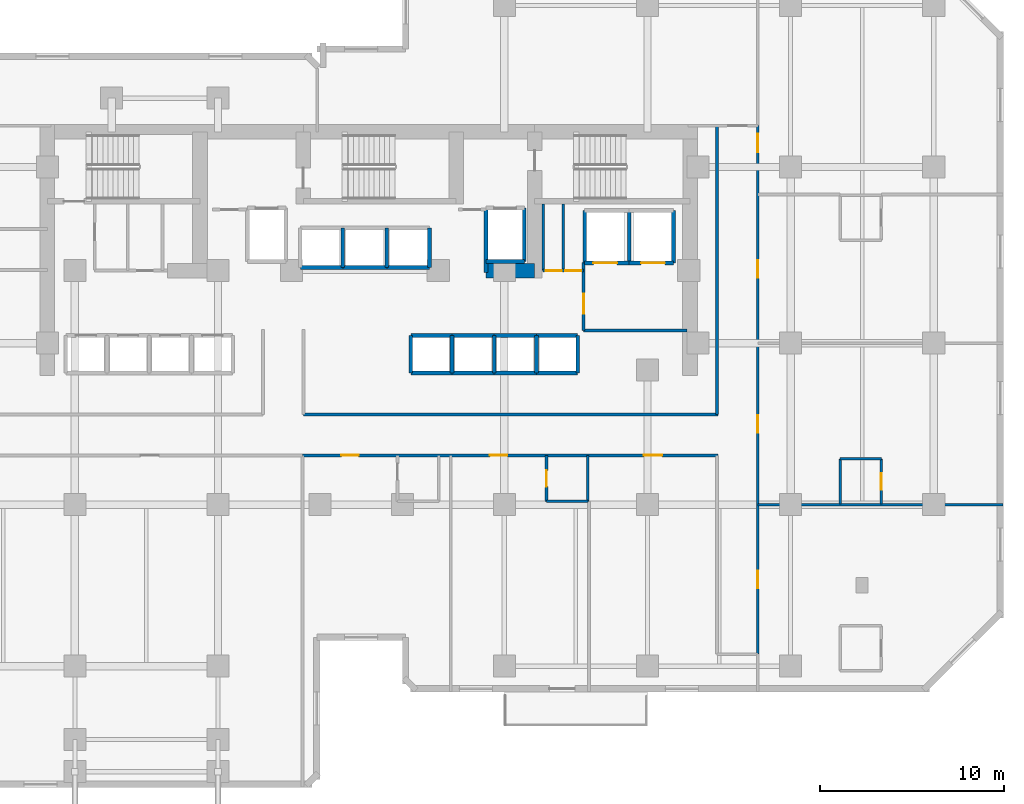
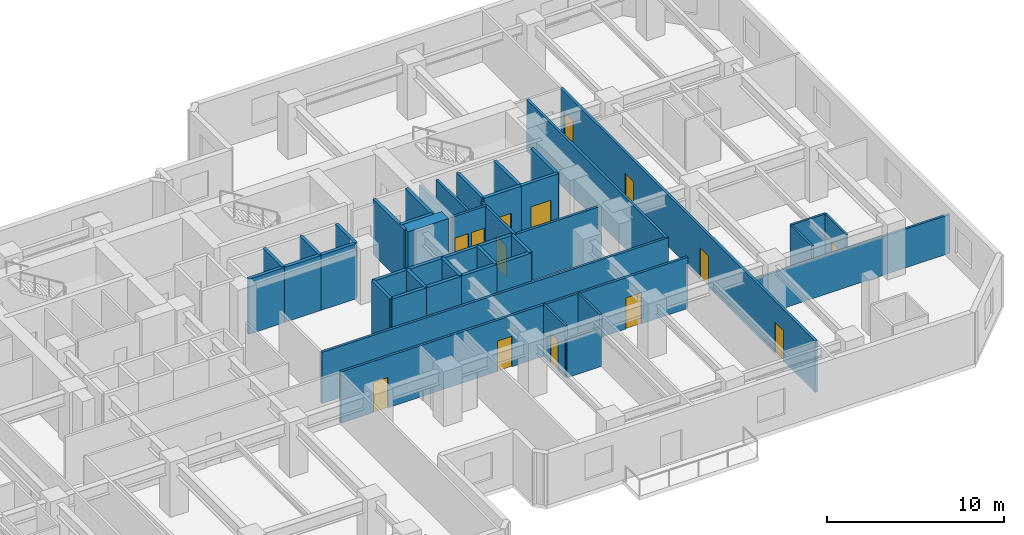
# One storey, part 8 of 12: 44 walls, 14 doors, 14 openings.
"""IFC4 building model written with IfcOpenShell, lengths in metres."""

from ifc_helpers import new_model, si_unit, direction, frame, frame_2d, origin, place, context, subcontext, project, spatial, rectangle, extrude, material, layer, layer_set, type_object, element, fill, save


model = new_model("IFC4")

# Units and contexts
model_context = context("Model", 3, precision=1e-05, world=origin(), true_north=direction((0.0, 1.0)))
body_context = subcontext(model_context, "Body", "Model", "MODEL_VIEW")
ifc_project = project(units=[si_unit("LENGTHUNIT", "METRE"), si_unit("AREAUNIT", "SQUARE_METRE"), si_unit("VOLUMEUNIT", "CUBIC_METRE"), si_unit("PLANEANGLEUNIT", "RADIAN"), si_unit("MASSUNIT", "GRAM", prefix="KILO")], contexts=[model_context])

# Site, building, storey
site_placement = place(None, origin())
site = spatial("IfcSite", under=ifc_project, at=site_placement, CompositionType="ELEMENT")
building_placement = place(site_placement, origin())
building = spatial("IfcBuilding", under=site, at=building_placement, Name="Kestravale Grand Hotel", CompositionType="ELEMENT")
storey_placement = place(building_placement, frame((0.0, 0.0, 91.800048828125)))
storey = spatial("IfcBuildingStorey", under=building, at=storey_placement, Name="L22", CompositionType="ELEMENT", Elevation=91.800048828125)

# Wall
ifc_material_1 = material(Name="Concrete f'c 60 MPa", Category="concrete")
ifc_layer_1 = layer(ifc_material_1, 0.800048828125)
ifc_layer_set_1 = layer_set([ifc_layer_1], Name="EW-CORE-800")
wall_type_1 = type_object("IfcWallType", Name="EW-CORE-800", PredefinedType="SHEAR", material=ifc_layer_set_1)
wall_1_placement = place(storey_placement, frame((45.81005859375, 32.75, 0.0), z_axis=(0.0, 0.0, 1.0), x_axis=(1.0, 0.0, 0.0)))
element("IfcWall", 1, at=wall_1_placement, inside=storey, type_object=wall_type_1, Name="L22 core shear wall S2", PredefinedType="SHEAR", context=body_context, shape_type="SweptSolid", body=[
    extrude(rectangle(XDim=2.639892578125, YDim=0.800048828125, at=frame_2d((1.31982421875, 0.0))), origin(), (0.0, 0.0, 1.0), 3.800048828125),
])

# Wall, opening, door
ifc_material_2 = material(Name="Acoustic fire-rated gypsum board partition", Category="other")
ifc_layer_2 = layer(ifc_material_2, 0.159912109375)
ifc_layer_set_2 = layer_set([ifc_layer_2], Name="IW-CORR-160")
wall_type_2 = type_object("IfcWallType", Name="IW-CORR-160", PredefinedType="PARTITIONING", material=ifc_layer_set_2)
wall_2_placement = place(storey_placement, frame((51.1201171875, 29.5, 0.0), z_axis=(0.0, 0.0, 1.0), x_axis=(0.0, 1.0, 0.0)))
wall_2 = element("IfcWall", 2, at=wall_2_placement, inside=storey, type_object=wall_type_2, Name="W-L22-SVCLOB-W", PredefinedType="PARTITIONING", context=body_context, shape_type="SweptSolid", body=[
    extrude(rectangle(XDim=3.699951171875, YDim=0.159912109375, at=frame_2d((1.85009765625, 0.0))), origin(), (0.0, 0.0, 1.0), 3.5400390625),
])
opening_1_placement = place(wall_2_placement, frame((0.89990234375, 0.0, 0.0)))
opening_1 = element("IfcOpeningElement", 3, at=opening_1_placement, cuts=wall_2, Name="Opening D-CORR-1100", PredefinedType="OPENING", context=body_context, shape_type="SweptSolid", body=[
    extrude(rectangle(XDim=1.10009765625, YDim=2.14990234375, at=frame_2d((0.550048828125, 1.074951171875))), frame((0.0, 0.08984375, 0.0), z_axis=(0.0, -1.0, 0.0), x_axis=(1.0, 0.0, 0.0)), (0.0, 0.0, 1.0), 0.179931640625),
])
ifc_material_3 = material(Name="Single-leaf service vestibule fire door", Category="steel")
door_type_1 = type_object("IfcDoorType", Name="D-CORR-1100", OperationType="NOTDEFINED", PredefinedType="DOOR", material=ifc_material_3)
door_1_placement = place(opening_1_placement, origin())
door_1 = element("IfcDoor", 4, at=door_1_placement, inside=storey, type_object=door_type_1, Name="L22 service lift lobby door", OperationType="SINGLE_SWING_LEFT", OverallHeight=2.14990234375, OverallWidth=1.10009765625, PredefinedType="DOOR", context=body_context, shape_type="SweptSolid", body=[
    extrude(rectangle(XDim=1.10009765625, YDim=2.14990234375, at=frame_2d((0.550048828125, 1.074951171875))), frame((0.0, 0.02490234375, 0.0), z_axis=(0.0, -1.0, 0.0), x_axis=(1.0, 0.0, 0.0)), (0.0, 0.0, 1.0), 0.050048828125),
])
fill(opening_1, door_1)

# Wall
wall_3_placement = place(storey_placement, frame((51.1201171875, 29.5, 0.0), z_axis=(0.0, 0.0, 1.0), x_axis=(1.0, 0.0, 0.0)))
element("IfcWall", 5, at=wall_3_placement, inside=storey, type_object=wall_type_2, Name="L22 service lift lobby wall", PredefinedType="PARTITIONING", context=body_context, shape_type="SweptSolid", body=[
    extrude(rectangle(XDim=5.6298828125, YDim=0.159912109375, at=frame_2d((2.81494140625, 0.0))), origin(), (0.0, 0.0, 1.0), 3.5400390625),
])

# Wall, openings, doors
wall_4_placement = place(storey_placement, frame((48.919921875, 32.75, 0.0), z_axis=(0.0, 0.0, 1.0), x_axis=(1.0, 0.0, 0.0)))
wall_4 = element("IfcWall", 6, at=wall_4_placement, inside=storey, type_object=wall_type_2, Name="W-L22-CES", PredefinedType="PARTITIONING", context=body_context, shape_type="SweptSolid", body=[
    extrude(rectangle(XDim=2.2001953125, YDim=0.159912109375, at=frame_2d((1.10009765625, 0.0))), origin(), (0.0, 0.0, 1.0), 3.5400390625),
])
opening_2_placement = place(wall_4_placement, frame((0.139892578125, 0.0, 0.0)))
opening_2 = element("IfcOpeningElement", 7, at=opening_2_placement, cuts=wall_4, Name="Opening D-SH-860", PredefinedType="OPENING", context=body_context, shape_type="SweptSolid", body=[
    extrude(rectangle(XDim=0.860107421875, YDim=2.050048828125, at=frame_2d((0.43017578125, 1.02490234375))), frame((0.0, 0.08984375, 0.0), z_axis=(0.0, -1.0, 0.0), x_axis=(1.0, 0.0, 0.0)), (0.0, 0.0, 1.0), 0.179931640625),
])
opening_3_placement = place(wall_4_placement, frame((1.199951171875, 0.0, 0.0)))
opening_3 = element("IfcOpeningElement", 8, at=opening_3_placement, cuts=wall_4, Name="Opening D-SH-860", PredefinedType="OPENING", context=body_context, shape_type="SweptSolid", body=[
    extrude(rectangle(XDim=0.860107421875, YDim=2.050048828125, at=frame_2d((0.43017578125, 1.02490234375))), frame((0.0, 0.08984375, 0.0), z_axis=(0.0, -1.0, 0.0), x_axis=(1.0, 0.0, 0.0)), (0.0, 0.0, 1.0), 0.179931640625),
])
ifc_material_4 = material(Name="Galvanised 90-minute riser fire door", Category="steel")
door_type_2 = type_object("IfcDoorType", Name="D-SH-860", OperationType="NOTDEFINED", PredefinedType="DOOR", material=ifc_material_4)
door_2_placement = place(opening_2_placement, origin())
door_2 = element("IfcDoor", 9, at=door_2_placement, inside=storey, type_object=door_type_2, Name="L22 CSTO1 door", OperationType="SINGLE_SWING_LEFT", OverallHeight=2.050048828125, OverallWidth=0.860107421875, PredefinedType="DOOR", context=body_context, shape_type="SweptSolid", body=[
    extrude(rectangle(XDim=0.860107421875, YDim=2.050048828125, at=frame_2d((0.43017578125, 1.02490234375))), frame((0.0, 0.02490234375, 0.0), z_axis=(0.0, -1.0, 0.0), x_axis=(1.0, 0.0, 0.0)), (0.0, 0.0, 1.0), 0.050048828125),
])
fill(opening_2, door_2)
door_3_placement = place(opening_3_placement, origin())
door_3 = element("IfcDoor", 10, at=door_3_placement, inside=storey, type_object=door_type_2, Name="L22 CSTO2 door", OperationType="SINGLE_SWING_RIGHT", OverallHeight=2.050048828125, OverallWidth=0.860107421875, PredefinedType="DOOR", context=body_context, shape_type="SweptSolid", body=[
    extrude(rectangle(XDim=0.860107421875, YDim=2.050048828125, at=frame_2d((0.43017578125, 1.02490234375))), frame((0.0, 0.02490234375, 0.0), z_axis=(0.0, -1.0, 0.0), x_axis=(1.0, 0.0, 0.0)), (0.0, 0.0, 1.0), 0.050048828125),
])
fill(opening_3, door_3)

# Wall
wall_5_placement = place(storey_placement, frame((35.85009765625, 24.909912109375, 0.0), z_axis=(0.0, 0.0, 1.0), x_axis=(1.0, 0.0, 0.0)))
element("IfcWall", 11, at=wall_5_placement, inside=storey, type_object=wall_type_2, Name="W-L22-CE-N", PredefinedType="PARTITIONING", context=body_context, shape_type="SweptSolid", body=[
    extrude(rectangle(XDim=22.599853515625, YDim=0.159912109375, at=frame_2d((11.2998046875, 0.0))), origin(), (0.0, 0.0, 1.0), 3.5400390625),
])

# Wall, openings, doors
wall_6_placement = place(storey_placement, frame((35.800048828125, 22.68994140625, 0.0), z_axis=(0.0, 0.0, 1.0), x_axis=(1.0, 0.0, 0.0)))
wall_6 = element("IfcWall", 12, at=wall_6_placement, inside=storey, type_object=wall_type_2, Name="W-L22-CE-S", PredefinedType="PARTITIONING", context=body_context, shape_type="SweptSolid", body=[
    extrude(rectangle(XDim=22.64990234375, YDim=0.159912109375, at=frame_2d((11.324951171875, 0.0))), origin(), (0.0, 0.0, 1.0), 3.5400390625),
])
opening_4_placement = place(wall_6_placement, frame((2.114990234375, 0.0, 0.0)))
opening_4 = element("IfcOpeningElement", 13, at=opening_4_placement, cuts=wall_6, Name="Opening D-GUEST-950", PredefinedType="OPENING", context=body_context, shape_type="SweptSolid", body=[
    extrude(rectangle(XDim=0.949951171875, YDim=2.10009765625, at=frame_2d((0.47509765625, 1.050048828125))), frame((0.0, 0.08984375, 0.0), z_axis=(0.0, -1.0, 0.0), x_axis=(1.0, 0.0, 0.0)), (0.0, 0.0, 1.0), 0.179931640625),
])
opening_5_placement = place(wall_6_placement, frame((10.215087890625, 0.0, 0.0)))
opening_5 = element("IfcOpeningElement", 14, at=opening_5_placement, cuts=wall_6, Name="Opening D-GUEST-950", PredefinedType="OPENING", context=body_context, shape_type="SweptSolid", body=[
    extrude(rectangle(XDim=0.949951171875, YDim=2.10009765625, at=frame_2d((0.47509765625, 1.050048828125))), frame((0.0, 0.08984375, 0.0), z_axis=(0.0, -1.0, 0.0), x_axis=(1.0, 0.0, 0.0)), (0.0, 0.0, 1.0), 0.179931640625),
])
opening_6_placement = place(wall_6_placement, frame((18.60009765625, 0.0, 0.0)))
opening_6 = element("IfcOpeningElement", 15, at=opening_6_placement, cuts=wall_6, Name="Opening D-GUEST-1000", PredefinedType="OPENING", context=body_context, shape_type="SweptSolid", body=[
    extrude(rectangle(XDim=1.0, YDim=2.14990234375, at=frame_2d((0.5, 1.074951171875))), frame((0.0, 0.08984375, 0.0), z_axis=(0.0, -1.0, 0.0), x_axis=(1.0, 0.0, 0.0)), (0.0, 0.0, 1.0), 0.179931640625),
])
ifc_material_5 = material(Name="Accessible walnut veneer hotel entrance fire door", Category="wood")
door_type_3 = type_object("IfcDoorType", Name="D-GUEST-1000", OperationType="NOTDEFINED", PredefinedType="DOOR", material=ifc_material_5)
door_4_placement = place(opening_6_placement, origin())
door_4 = element("IfcDoor", 16, at=door_4_placement, inside=storey, type_object=door_type_3, Name="D-L22-AME", OperationType="SINGLE_SWING_RIGHT", OverallHeight=2.14990234375, OverallWidth=1.0, PredefinedType="DOOR", context=body_context, shape_type="SweptSolid", body=[
    extrude(rectangle(XDim=1.0, YDim=2.14990234375, at=frame_2d((0.5, 1.074951171875))), frame((0.0, 0.02490234375, 0.0), z_axis=(0.0, -1.0, 0.0), x_axis=(1.0, 0.0, 0.0)), (0.0, 0.0, 1.0), 0.050048828125),
])
fill(opening_6, door_4)
ifc_material_6 = material(Name="Walnut veneer hotel guestroom entrance fire door", Category="wood")
door_type_4 = type_object("IfcDoorType", Name="D-GUEST-950", OperationType="NOTDEFINED", PredefinedType="DOOR", material=ifc_material_6)
door_5_placement = place(opening_4_placement, origin())
door_5 = element("IfcDoor", 17, at=door_5_placement, inside=storey, type_object=door_type_4, Name="D-L22-U01-ENT", OperationType="SINGLE_SWING_LEFT", OverallHeight=2.10009765625, OverallWidth=0.949951171875, PredefinedType="DOOR", context=body_context, shape_type="SweptSolid", body=[
    extrude(rectangle(XDim=0.949951171875, YDim=2.10009765625, at=frame_2d((0.47509765625, 1.050048828125))), frame((0.0, 0.02490234375, 0.0), z_axis=(0.0, -1.0, 0.0), x_axis=(1.0, 0.0, 0.0)), (0.0, 0.0, 1.0), 0.050048828125),
])
fill(opening_4, door_5)
door_6_placement = place(opening_5_placement, origin())
door_6 = element("IfcDoor", 18, at=door_6_placement, inside=storey, type_object=door_type_4, Name="D-L22-U02-ENT", OperationType="SINGLE_SWING_LEFT", OverallHeight=2.10009765625, OverallWidth=0.949951171875, PredefinedType="DOOR", context=body_context, shape_type="SweptSolid", body=[
    extrude(rectangle(XDim=0.949951171875, YDim=2.10009765625, at=frame_2d((0.47509765625, 1.050048828125))), frame((0.0, 0.02490234375, 0.0), z_axis=(0.0, -1.0, 0.0), x_axis=(1.0, 0.0, 0.0)), (0.0, 0.0, 1.0), 0.050048828125),
])
fill(opening_5, door_6)

wall_7_placement = place(storey_placement, frame((60.610107421875, 11.85009765625, 0.0), z_axis=(0.0, 0.0, 1.0), x_axis=(0.0, 1.0, 0.0)))
wall_7 = element("IfcWall", 19, at=wall_7_placement, inside=storey, type_object=wall_type_2, Name="W-L22-SE-E", PredefinedType="PARTITIONING", context=body_context, shape_type="SweptSolid", body=[
    extrude(rectangle(XDim=28.7998046875, YDim=0.159912109375, at=frame_2d((14.39990234375, 0.0))), origin(), (0.0, 0.0, 1.0), 3.5400390625),
])
opening_7_placement = place(wall_7_placement, frame((3.60009765625, 0.0, 0.0)))
opening_7 = element("IfcOpeningElement", 20, at=opening_7_placement, cuts=wall_7, Name="Opening D-GUEST-950", PredefinedType="OPENING", context=body_context, shape_type="SweptSolid", body=[
    extrude(rectangle(XDim=0.949951171875, YDim=2.10009765625, at=frame_2d((0.47509765625, 1.050048828125))), frame((0.0, 0.08984375, 0.0), z_axis=(0.0, -1.0, 0.0), x_axis=(1.0, 0.0, 0.0)), (0.0, 0.0, 1.0), 0.179931640625),
])
opening_8_placement = place(wall_7_placement, frame((12.074951171875, 0.0, 0.0)))
opening_8 = element("IfcOpeningElement", 21, at=opening_8_placement, cuts=wall_7, Name="Opening D-GUEST-950", PredefinedType="OPENING", context=body_context, shape_type="SweptSolid", body=[
    extrude(rectangle(XDim=0.949951171875, YDim=2.10009765625, at=frame_2d((0.47509765625, 1.050048828125))), frame((0.0, 0.08984375, 0.0), z_axis=(0.0, -1.0, 0.0), x_axis=(1.0, 0.0, 0.0)), (0.0, 0.0, 1.0), 0.179931640625),
])
opening_9_placement = place(wall_7_placement, frame((20.52490234375, 0.0, 0.0)))
opening_9 = element("IfcOpeningElement", 22, at=opening_9_placement, cuts=wall_7, Name="Opening D-GUEST-950", PredefinedType="OPENING", context=body_context, shape_type="SweptSolid", body=[
    extrude(rectangle(XDim=0.949951171875, YDim=2.10009765625, at=frame_2d((0.47509765625, 1.050048828125))), frame((0.0, 0.08984375, 0.0), z_axis=(0.0, -1.0, 0.0), x_axis=(1.0, 0.0, 0.0)), (0.0, 0.0, 1.0), 0.179931640625),
])
opening_10_placement = place(wall_7_placement, frame((27.360107421875, 0.0, 0.0)))
opening_10 = element("IfcOpeningElement", 23, at=opening_10_placement, cuts=wall_7, Name="Opening D-GUEST-1000", PredefinedType="OPENING", context=body_context, shape_type="SweptSolid", body=[
    extrude(rectangle(XDim=1.0, YDim=2.14990234375, at=frame_2d((0.5, 1.074951171875))), frame((0.0, 0.08984375, 0.0), z_axis=(0.0, -1.0, 0.0), x_axis=(1.0, 0.0, 0.0)), (0.0, 0.0, 1.0), 0.179931640625),
])
door_7_placement = place(opening_10_placement, origin())
door_7 = element("IfcDoor", 24, at=door_7_placement, inside=storey, type_object=door_type_3, Name="D-L22-AMEW", OperationType="SINGLE_SWING_RIGHT", OverallHeight=2.14990234375, OverallWidth=1.0, PredefinedType="DOOR", context=body_context, shape_type="SweptSolid", body=[
    extrude(rectangle(XDim=1.0, YDim=2.14990234375, at=frame_2d((0.5, 1.074951171875))), frame((0.0, 0.02490234375, 0.0), z_axis=(0.0, -1.0, 0.0), x_axis=(1.0, 0.0, 0.0)), (0.0, 0.0, 1.0), 0.050048828125),
])
fill(opening_10, door_7)
door_8_placement = place(opening_7_placement, origin())
door_8 = element("IfcDoor", 25, at=door_8_placement, inside=storey, type_object=door_type_4, Name="D-L22-U07-ENT", OperationType="SINGLE_SWING_LEFT", OverallHeight=2.10009765625, OverallWidth=0.949951171875, PredefinedType="DOOR", context=body_context, shape_type="SweptSolid", body=[
    extrude(rectangle(XDim=0.949951171875, YDim=2.10009765625, at=frame_2d((0.47509765625, 1.050048828125))), frame((0.0, 0.02490234375, 0.0), z_axis=(0.0, -1.0, 0.0), x_axis=(1.0, 0.0, 0.0)), (0.0, 0.0, 1.0), 0.050048828125),
])
fill(opening_7, door_8)
door_9_placement = place(opening_8_placement, origin())
door_9 = element("IfcDoor", 26, at=door_9_placement, inside=storey, type_object=door_type_4, Name="D-L22-U08-ENT", OperationType="SINGLE_SWING_LEFT", OverallHeight=2.10009765625, OverallWidth=0.949951171875, PredefinedType="DOOR", context=body_context, shape_type="SweptSolid", body=[
    extrude(rectangle(XDim=0.949951171875, YDim=2.10009765625, at=frame_2d((0.47509765625, 1.050048828125))), frame((0.0, 0.02490234375, 0.0), z_axis=(0.0, -1.0, 0.0), x_axis=(1.0, 0.0, 0.0)), (0.0, 0.0, 1.0), 0.050048828125),
])
fill(opening_8, door_9)
door_10_placement = place(opening_9_placement, origin())
door_10 = element("IfcDoor", 27, at=door_10_placement, inside=storey, type_object=door_type_4, Name="D-L22-U09-ENT", OperationType="SINGLE_SWING_LEFT", OverallHeight=2.10009765625, OverallWidth=0.949951171875, PredefinedType="DOOR", context=body_context, shape_type="SweptSolid", body=[
    extrude(rectangle(XDim=0.949951171875, YDim=2.10009765625, at=frame_2d((0.47509765625, 1.050048828125))), frame((0.0, 0.02490234375, 0.0), z_axis=(0.0, -1.0, 0.0), x_axis=(1.0, 0.0, 0.0)), (0.0, 0.0, 1.0), 0.050048828125),
])
fill(opening_9, door_10)

# Wall
wall_8_placement = place(storey_placement, frame((58.389892578125, 24.909912109375, 0.0), z_axis=(0.0, 0.0, 1.0), x_axis=(0.0, 1.0, 0.0)))
element("IfcWall", 28, at=wall_8_placement, inside=storey, type_object=wall_type_2, Name="W-L22-SE-WU", PredefinedType="PARTITIONING", context=body_context, shape_type="SweptSolid", body=[
    extrude(rectangle(XDim=15.739990234375, YDim=0.159912109375, at=frame_2d((7.8701171875, 0.0))), origin(), (0.0, 0.0, 1.0), 3.5400390625),
])

# Wall, opening, door
ifc_material_7 = material(Name="Moisture-resistant tile-backer plumbing chase wall", Category="other")
ifc_layer_3 = layer(ifc_material_7, 0.139892578125)
ifc_layer_set_3 = layer_set([ifc_layer_3], Name="IW-PLB-140")
wall_type_3 = type_object("IfcWallType", Name="IW-PLB-140", PredefinedType="PLUMBINGWALL", material=ifc_layer_set_3)
wall_9_placement = place(storey_placement, frame((49.10009765625, 20.179931640625, 0.0), z_axis=(0.0, 0.0, 1.0), x_axis=(0.0, 1.0, 0.0)))
wall_9 = element("IfcWall", 29, at=wall_9_placement, inside=storey, type_object=wall_type_3, Name="W-L22-U02-BW", PredefinedType="PLUMBINGWALL", context=body_context, shape_type="SweptSolid", body=[
    extrude(rectangle(XDim=2.489990234375, YDim=0.139892578125, at=frame_2d((1.2451171875, 0.0))), origin(), (0.0, 0.0, 1.0), 3.5400390625),
])
opening_11_placement = place(wall_9_placement, frame((0.804931640625, 0.0, 0.0)))
opening_11 = element("IfcOpeningElement", 30, at=opening_11_placement, cuts=wall_9, Name="Opening D-BATH-880", PredefinedType="OPENING", context=body_context, shape_type="SweptSolid", body=[
    extrude(rectangle(XDim=0.8798828125, YDim=2.050048828125, at=frame_2d((0.43994140625, 1.02490234375))), frame((0.0, 0.079833984375, 0.0), z_axis=(0.0, -1.0, 0.0), x_axis=(1.0, 0.0, 0.0)), (0.0, 0.0, 1.0), 0.159912109375),
])
ifc_material_8 = material(Name="Moisture-sealed walnut en-suite bathroom door", Category="wood")
door_type_5 = type_object("IfcDoorType", Name="D-BATH-880", OperationType="NOTDEFINED", PredefinedType="DOOR", material=ifc_material_8)
door_11_placement = place(opening_11_placement, origin())
door_11 = element("IfcDoor", 31, at=door_11_placement, inside=storey, type_object=door_type_5, Name="D-L22-U02-BATH", OperationType="SINGLE_SWING_RIGHT", OverallHeight=2.050048828125, OverallWidth=0.8798828125, PredefinedType="DOOR", context=body_context, shape_type="SweptSolid", body=[
    extrude(rectangle(XDim=0.8798828125, YDim=2.050048828125, at=frame_2d((0.43994140625, 1.02490234375))), frame((0.0, 0.02490234375, 0.0), z_axis=(0.0, -1.0, 0.0), x_axis=(1.0, 0.0, 0.0)), (0.0, 0.0, 1.0), 0.050048828125),
])
fill(opening_11, door_11)

# Walls
wall_10_placement = place(storey_placement, frame((51.35009765625, 20.179931640625, 0.0), z_axis=(0.0, 0.0, 1.0), x_axis=(0.0, 1.0, 0.0)))
element("IfcWall", 32, at=wall_10_placement, inside=storey, type_object=wall_type_3, Name="W-L22-U02-BE", PredefinedType="PLUMBINGWALL", context=body_context, shape_type="SweptSolid", body=[
    extrude(rectangle(XDim=2.489990234375, YDim=0.139892578125, at=frame_2d((1.2451171875, 0.0))), origin(), (0.0, 0.0, 1.0), 3.5400390625),
])
wall_11_placement = place(storey_placement, frame((49.10009765625, 20.179931640625, 0.0), z_axis=(0.0, 0.0, 1.0), x_axis=(1.0, 0.0, 0.0)))
element("IfcWall", 33, at=wall_11_placement, inside=storey, type_object=wall_type_3, Name="W-L22-U02-BS", PredefinedType="PLUMBINGWALL", context=body_context, shape_type="SweptSolid", body=[
    extrude(rectangle(XDim=2.25, YDim=0.139892578125, at=frame_2d((1.125, 0.0))), origin(), (0.0, 0.0, 1.0), 2.678955078125),
])
wall_12_placement = place(storey_placement, frame((65.10009765625, 20.0400390625, 0.0), z_axis=(0.0, 0.0, 1.0), x_axis=(0.0, 1.0, 0.0)))
element("IfcWall", 34, at=wall_12_placement, inside=storey, type_object=wall_type_3, Name="W-L22-U08-BW", PredefinedType="PLUMBINGWALL", context=body_context, shape_type="SweptSolid", body=[
    extrude(rectangle(XDim=2.449951171875, YDim=0.139892578125, at=frame_2d((1.22509765625, 0.0))), origin(), (0.0, 0.0, 1.0), 3.5400390625),
])

# Wall, opening, door
wall_13_placement = place(storey_placement, frame((67.35009765625, 20.0400390625, 0.0), z_axis=(0.0, 0.0, 1.0), x_axis=(0.0, 1.0, 0.0)))
wall_13 = element("IfcWall", 35, at=wall_13_placement, inside=storey, type_object=wall_type_3, Name="W-L22-U08-BE", PredefinedType="PLUMBINGWALL", context=body_context, shape_type="SweptSolid", body=[
    extrude(rectangle(XDim=2.449951171875, YDim=0.139892578125, at=frame_2d((1.22509765625, 0.0))), origin(), (0.0, 0.0, 1.0), 3.5400390625),
])
opening_12_placement = place(wall_13_placement, frame((0.784912109375, 0.0, 0.0)))
opening_12 = element("IfcOpeningElement", 36, at=opening_12_placement, cuts=wall_13, Name="Opening D-BATH-880", PredefinedType="OPENING", context=body_context, shape_type="SweptSolid", body=[
    extrude(rectangle(XDim=0.8798828125, YDim=2.050048828125, at=frame_2d((0.43994140625, 1.02490234375))), frame((0.0, 0.079833984375, 0.0), z_axis=(0.0, -1.0, 0.0), x_axis=(1.0, 0.0, 0.0)), (0.0, 0.0, 1.0), 0.159912109375),
])
door_12_placement = place(opening_12_placement, origin())
door_12 = element("IfcDoor", 37, at=door_12_placement, inside=storey, type_object=door_type_5, Name="D-L22-U08-BATH", OperationType="SINGLE_SWING_RIGHT", OverallHeight=2.050048828125, OverallWidth=0.8798828125, PredefinedType="DOOR", context=body_context, shape_type="SweptSolid", body=[
    extrude(rectangle(XDim=0.8798828125, YDim=2.050048828125, at=frame_2d((0.43994140625, 1.02490234375))), frame((0.0, 0.02490234375, 0.0), z_axis=(0.0, -1.0, 0.0), x_axis=(1.0, 0.0, 0.0)), (0.0, 0.0, 1.0), 0.050048828125),
])
fill(opening_12, door_12)

# Walls
wall_14_placement = place(storey_placement, frame((65.10009765625, 22.489990234375, 0.0), z_axis=(0.0, 0.0, 1.0), x_axis=(1.0, 0.0, 0.0)))
element("IfcWall", 38, at=wall_14_placement, inside=storey, type_object=wall_type_3, Name="W-L22-U08-BN", PredefinedType="PLUMBINGWALL", context=body_context, shape_type="SweptSolid", body=[
    extrude(rectangle(XDim=2.25, YDim=0.139892578125, at=frame_2d((1.125, 0.0))), origin(), (0.0, 0.0, 1.0), 3.5400390625),
])
ifc_material_9 = material(Name="Concrete f'c 45 MPa", Category="concrete")
ifc_layer_4 = layer(ifc_material_9, 0.199951171875)
ifc_layer_set_4 = layer_set([ifc_layer_4], Name="IW-SHAFT-200")
wall_type_4 = type_object("IfcWallType", Name="IW-SHAFT-200", PredefinedType="SHEAR", material=ifc_layer_set_4)
for number, where, z_axis, x_axis, name in (
    (39, (41.705078125, 27.169921875, 0.0), (0.0, 0.0, 1.0), (0.0, 1.0, 0.0), "L22 PL-M1 west shaft wall"),
    (40, (43.949951171875, 27.169921875, 0.0), (0.0, 0.0, 1.0), (0.0, 1.0, 0.0), "L22 PL-M2 west shaft wall"),
    (41, (46.25, 27.169921875, 0.0), (0.0, 0.0, 1.0), (0.0, 1.0, 0.0), "L22 PL-M3 west shaft wall"),
    (42, (48.550048828125, 27.169921875, 0.0), (0.0, 0.0, 1.0), (0.0, 1.0, 0.0), "L22 PL-M4 west shaft wall"),
    (43, (50.794921875, 27.169921875, 0.0), (0.0, 0.0, 1.0), (0.0, 1.0, 0.0), "L22 PL-M4 east shaft wall"),
):
    element("IfcWall", number, at=place(storey_placement, frame(where, z_axis=z_axis, x_axis=x_axis)), inside=storey, type_object=wall_type_4, Name=name, PredefinedType="SHEAR", context=body_context, shape_type="SweptSolid", body=[
        extrude(rectangle(XDim=2.06005859375, YDim=0.199951171875, at=frame_2d((1.030029296875, 0.0))), origin(), (0.0, 0.0, 1.0), 3.800048828125),
    ])
for number, where, z_axis, x_axis, name in (
    (44, (38.0, 32.919921875, 0.0), (0.0, 0.0, 1.0), (0.0, 1.0, 0.0), "L22 PL-X2 west shaft wall"),
    (45, (40.39990234375, 32.919921875, 0.0), (0.0, 0.0, 1.0), (0.0, 1.0, 0.0), "L22 PL-X3 west shaft wall"),
    (46, (42.719970703125, 32.919921875, 0.0), (0.0, 0.0, 1.0), (0.0, 1.0, 0.0), "L22 PL-X3 east shaft wall"),
):
    element("IfcWall", number, at=place(storey_placement, frame(where, z_axis=z_axis, x_axis=x_axis)), inside=storey, type_object=wall_type_4, Name=name, PredefinedType="SHEAR", context=body_context, shape_type="SweptSolid", body=[
        extrude(rectangle(XDim=2.16015625, YDim=0.199951171875, at=frame_2d((1.080078125, 0.0))), origin(), (0.0, 0.0, 1.0), 3.800048828125),
    ])
for number, where, z_axis, x_axis, name in (
    (47, (51.179931640625, 33.169921875, 0.0), (0.0, 0.0, 1.0), (0.0, 1.0, 0.0), "L22 SL-1 west shaft wall"),
    (48, (53.60009765625, 33.169921875, 0.0), (0.0, 0.0, 1.0), (0.0, 1.0, 0.0), "L22 SL-2 west shaft wall"),
    (49, (56.02001953125, 33.169921875, 0.0), (0.0, 0.0, 1.0), (0.0, 1.0, 0.0), "L22 SL-2 east shaft wall"),
):
    element("IfcWall", number, at=place(storey_placement, frame(where, z_axis=z_axis, x_axis=x_axis)), inside=storey, type_object=wall_type_4, Name=name, PredefinedType="SHEAR", context=body_context, shape_type="SweptSolid", body=[
        extrude(rectangle(XDim=2.860107421875, YDim=0.199951171875, at=frame_2d((1.43017578125, 0.0))), origin(), (0.0, 0.0, 1.0), 3.800048828125),
    ])
wall_15_placement = place(storey_placement, frame((45.804931640625, 32.64990234375, 0.0), z_axis=(0.0, 0.0, 1.0), x_axis=(0.0, 1.0, 0.0)))
element("IfcWall", 50, at=wall_15_placement, inside=storey, type_object=wall_type_4, Name="L22 FL-2 west shaft wall", PredefinedType="SHEAR", context=body_context, shape_type="SweptSolid", body=[
    extrude(rectangle(XDim=3.505126953125, YDim=0.199951171875, at=frame_2d((1.75244140625, 0.0))), origin(), (0.0, 0.0, 1.0), 3.800048828125),
])
wall_16_placement = place(storey_placement, frame((47.89501953125, 33.2451171875, 0.0), z_axis=(0.0, 0.0, 1.0), x_axis=(0.0, 1.0, 0.0)))
element("IfcWall", 51, at=wall_16_placement, inside=storey, type_object=wall_type_4, Name="L22 FL-2 east shaft wall", PredefinedType="SHEAR", context=body_context, shape_type="SweptSolid", body=[
    extrude(rectangle(XDim=2.909912109375, YDim=0.199951171875, at=frame_2d((1.455078125, 0.0))), origin(), (0.0, 0.0, 1.0), 3.800048828125),
])
ifc_material_10 = material(Name="Concrete f'c 45 MPa", Category="concrete")
ifc_layer_5 = layer(ifc_material_10, 0.219970703125)
ifc_layer_set_5 = layer_set([ifc_layer_5], Name="IW-SHAFT-220")
wall_type_5 = type_object("IfcWallType", Name="IW-SHAFT-220", PredefinedType="SHEAR", material=ifc_layer_set_5)
for number, where, z_axis, x_axis, name in (
    (52, (41.705078125, 29.22998046875, 0.0), (0.0, 0.0, 1.0), (1.0, 0.0, 0.0), "L22 PL-M1 north shaft wall"),
    (53, (41.705078125, 27.169921875, 0.0), (0.0, 0.0, 1.0), (1.0, 0.0, 0.0), "L22 PL-M1 south shaft wall"),
):
    element("IfcWall", number, at=place(storey_placement, frame(where, z_axis=z_axis, x_axis=x_axis)), inside=storey, type_object=wall_type_5, Name=name, PredefinedType="SHEAR", context=body_context, shape_type="SweptSolid", body=[
        extrude(rectangle(XDim=2.244873046875, YDim=0.219970703125, at=frame_2d((1.12255859375, 0.0))), origin(), (0.0, 0.0, 1.0), 3.800048828125),
    ])
for number, where, z_axis, x_axis, name in (
    (54, (43.949951171875, 29.22998046875, 0.0), (0.0, 0.0, 1.0), (1.0, 0.0, 0.0), "L22 PL-M2 north shaft wall"),
    (55, (43.949951171875, 27.169921875, 0.0), (0.0, 0.0, 1.0), (1.0, 0.0, 0.0), "L22 PL-M2 south shaft wall"),
    (56, (46.25, 29.22998046875, 0.0), (0.0, 0.0, 1.0), (1.0, 0.0, 0.0), "L22 PL-M3 north shaft wall"),
    (57, (46.25, 27.169921875, 0.0), (0.0, 0.0, 1.0), (1.0, 0.0, 0.0), "L22 PL-M3 south shaft wall"),
):
    element("IfcWall", number, at=place(storey_placement, frame(where, z_axis=z_axis, x_axis=x_axis)), inside=storey, type_object=wall_type_5, Name=name, PredefinedType="SHEAR", context=body_context, shape_type="SweptSolid", body=[
        extrude(rectangle(XDim=2.300048828125, YDim=0.219970703125, at=frame_2d((1.14990234375, 0.0))), origin(), (0.0, 0.0, 1.0), 3.800048828125),
    ])
for number, where, z_axis, x_axis, name in (
    (58, (48.550048828125, 29.22998046875, 0.0), (0.0, 0.0, 1.0), (1.0, 0.0, 0.0), "L22 PL-M4 north shaft wall"),
    (59, (48.550048828125, 27.169921875, 0.0), (0.0, 0.0, 1.0), (1.0, 0.0, 0.0), "L22 PL-M4 south shaft wall"),
):
    element("IfcWall", number, at=place(storey_placement, frame(where, z_axis=z_axis, x_axis=x_axis)), inside=storey, type_object=wall_type_5, Name=name, PredefinedType="SHEAR", context=body_context, shape_type="SweptSolid", body=[
        extrude(rectangle(XDim=2.244873046875, YDim=0.219970703125, at=frame_2d((1.12255859375, 0.0))), origin(), (0.0, 0.0, 1.0), 3.800048828125),
    ])
wall_17_placement = place(storey_placement, frame((35.679931640625, 32.919921875, 0.0), z_axis=(0.0, 0.0, 1.0), x_axis=(1.0, 0.0, 0.0)))
element("IfcWall", 60, at=wall_17_placement, inside=storey, type_object=wall_type_5, Name="L22 PL-X1 south shaft wall", PredefinedType="SHEAR", context=body_context, shape_type="SweptSolid", body=[
    extrude(rectangle(XDim=2.320068359375, YDim=0.219970703125, at=frame_2d((1.16015625, 0.0))), origin(), (0.0, 0.0, 1.0), 3.800048828125),
])
wall_18_placement = place(storey_placement, frame((38.0, 32.919921875, 0.0), z_axis=(0.0, 0.0, 1.0), x_axis=(1.0, 0.0, 0.0)))
element("IfcWall", 61, at=wall_18_placement, inside=storey, type_object=wall_type_5, Name="L22 PL-X2 south shaft wall", PredefinedType="SHEAR", context=body_context, shape_type="SweptSolid", body=[
    extrude(rectangle(XDim=2.39990234375, YDim=0.219970703125, at=frame_2d((1.199951171875, 0.0))), origin(), (0.0, 0.0, 1.0), 3.800048828125),
])
wall_19_placement = place(storey_placement, frame((40.39990234375, 32.919921875, 0.0), z_axis=(0.0, 0.0, 1.0), x_axis=(1.0, 0.0, 0.0)))
element("IfcWall", 62, at=wall_19_placement, inside=storey, type_object=wall_type_5, Name="L22 PL-X3 south shaft wall", PredefinedType="SHEAR", context=body_context, shape_type="SweptSolid", body=[
    extrude(rectangle(XDim=2.320068359375, YDim=0.219970703125, at=frame_2d((1.16015625, 0.0))), origin(), (0.0, 0.0, 1.0), 3.800048828125),
])

# Wall, opening, door
wall_20_placement = place(storey_placement, frame((51.179931640625, 33.169921875, 0.0), z_axis=(0.0, 0.0, 1.0), x_axis=(1.0, 0.0, 0.0)))
wall_20 = element("IfcWall", 63, at=wall_20_placement, inside=storey, type_object=wall_type_5, Name="L22 SL-1 south shaft wall", PredefinedType="SHEAR", context=body_context, shape_type="SweptSolid", body=[
    extrude(rectangle(XDim=2.420166015625, YDim=0.219970703125, at=frame_2d((1.2099609375, 0.0))), origin(), (0.0, 0.0, 1.0), 3.800048828125),
])
opening_13_placement = place(wall_20_placement, frame((0.469970703125, 0.0, 0.0)))
opening_13 = element("IfcOpeningElement", 64, at=opening_13_placement, cuts=wall_20, Name="Opening LD-SVC-1300", PredefinedType="OPENING", context=body_context, shape_type="SweptSolid", body=[
    extrude(rectangle(XDim=1.300048828125, YDim=2.14990234375, at=frame_2d((0.64990234375, 1.074951171875))), frame((0.0, 0.119873046875, 0.0), z_axis=(0.0, -1.0, 0.0), x_axis=(1.0, 0.0, 0.0)), (0.0, 0.0, 1.0), 0.239990234375),
])
ifc_material_11 = material(Name="Heavy-duty service sliding elevator landing door", Category="steel")
door_type_6 = type_object("IfcDoorType", Name="LD-SVC-1300", OperationType="NOTDEFINED", PredefinedType="DOOR", material=ifc_material_11)
door_13_placement = place(opening_13_placement, origin())
door_13 = element("IfcDoor", 65, at=door_13_placement, inside=storey, type_object=door_type_6, Name="L22 SL-1 elevator landing sliding door", OperationType="DOUBLE_DOOR_SLIDING", OverallHeight=2.14990234375, OverallWidth=1.300048828125, PredefinedType="DOOR", context=body_context, shape_type="SweptSolid", body=[
    extrude(rectangle(XDim=1.300048828125, YDim=2.14990234375, at=frame_2d((0.64990234375, 1.074951171875))), frame((0.0, 0.02490234375, 0.0), z_axis=(0.0, -1.0, 0.0), x_axis=(1.0, 0.0, 0.0)), (0.0, 0.0, 1.0), 0.050048828125),
])
fill(opening_13, door_13)

wall_21_placement = place(storey_placement, frame((53.60009765625, 33.169921875, 0.0), z_axis=(0.0, 0.0, 1.0), x_axis=(1.0, 0.0, 0.0)))
wall_21 = element("IfcWall", 66, at=wall_21_placement, inside=storey, type_object=wall_type_5, Name="L22 SL-2 south shaft wall", PredefinedType="SHEAR", context=body_context, shape_type="SweptSolid", body=[
    extrude(rectangle(XDim=2.419921875, YDim=0.219970703125, at=frame_2d((1.2099609375, 0.0))), origin(), (0.0, 0.0, 1.0), 3.800048828125),
])
opening_14_placement = place(wall_21_placement, frame((0.64990234375, 0.0, 0.0)))
opening_14 = element("IfcOpeningElement", 67, at=opening_14_placement, cuts=wall_21, Name="Opening LD-SVC-1300", PredefinedType="OPENING", context=body_context, shape_type="SweptSolid", body=[
    extrude(rectangle(XDim=1.300048828125, YDim=2.14990234375, at=frame_2d((0.64990234375, 1.074951171875))), frame((0.0, 0.119873046875, 0.0), z_axis=(0.0, -1.0, 0.0), x_axis=(1.0, 0.0, 0.0)), (0.0, 0.0, 1.0), 0.239990234375),
])
door_14_placement = place(opening_14_placement, origin())
door_14 = element("IfcDoor", 68, at=door_14_placement, inside=storey, type_object=door_type_6, Name="L22 SL-2 elevator landing sliding door", OperationType="DOUBLE_DOOR_SLIDING", OverallHeight=2.14990234375, OverallWidth=1.300048828125, PredefinedType="DOOR", context=body_context, shape_type="SweptSolid", body=[
    extrude(rectangle(XDim=1.300048828125, YDim=2.14990234375, at=frame_2d((0.64990234375, 1.074951171875))), frame((0.0, 0.02490234375, 0.0), z_axis=(0.0, -1.0, 0.0), x_axis=(1.0, 0.0, 0.0)), (0.0, 0.0, 1.0), 0.050048828125),
])
fill(opening_14, door_14)

# Walls
wall_22_placement = place(storey_placement, frame((45.804931640625, 33.2451171875, 0.0), z_axis=(0.0, 0.0, 1.0), x_axis=(1.0, 0.0, 0.0)))
element("IfcWall", 69, at=wall_22_placement, inside=storey, type_object=wall_type_5, Name="L22 FL-2 south shaft wall", PredefinedType="SHEAR", context=body_context, shape_type="SweptSolid", body=[
    extrude(rectangle(XDim=2.090087890625, YDim=0.219970703125, at=frame_2d((1.044921875, 0.0))), origin(), (0.0, 0.0, 1.0), 3.800048828125),
])
ifc_material_12 = material(Name="Double-stud STC 52 acoustic demising partition", Category="other")
ifc_layer_6 = layer(ifc_material_12, 0.14990234375)
ifc_layer_set_6 = layer_set([ifc_layer_6], Name="IW-UNIT-150")
wall_type_6 = type_object("IfcWallType", Name="IW-UNIT-150", PredefinedType="PARTITIONING", material=ifc_layer_set_6)
for number, where, z_axis, x_axis, name in (
    (70, (48.919921875, 32.75, 0.0), (0.0, 0.0, 1.0), (0.0, 1.0, 0.0), "W-L22-CEW"),
    (71, (50.010009765625, 32.75, 0.0), (0.0, 0.0, 1.0), (0.0, 1.0, 0.0), "W-L22-CC1-EM"),
):
    element("IfcWall", number, at=place(storey_placement, frame(where, z_axis=z_axis, x_axis=x_axis)), inside=storey, type_object=wall_type_6, Name=name, PredefinedType="PARTITIONING", context=body_context, shape_type="SweptSolid", body=[
        extrude(rectangle(XDim=3.6201171875, YDim=0.14990234375, at=frame_2d((1.81005859375, 0.0))), origin(), (0.0, 0.0, 1.0), 3.5400390625),
    ])
wall_23_placement = place(storey_placement, frame((60.610107421875, 20.0, 0.0), z_axis=(0.0, 0.0, 1.0), x_axis=(1.0, 0.0, 0.0)))
element("IfcWall", 72, at=wall_23_placement, inside=storey, type_object=wall_type_6, Name="W-L22-EW-1", PredefinedType="PARTITIONING", context=body_context, shape_type="SweptSolid", body=[
    extrude(rectangle(XDim=13.369873046875, YDim=0.14990234375, at=frame_2d((6.68505859375, 0.0))), origin(), (0.0, 0.0, 1.0), 2.678955078125),
])

save(model, "model.ifc")
